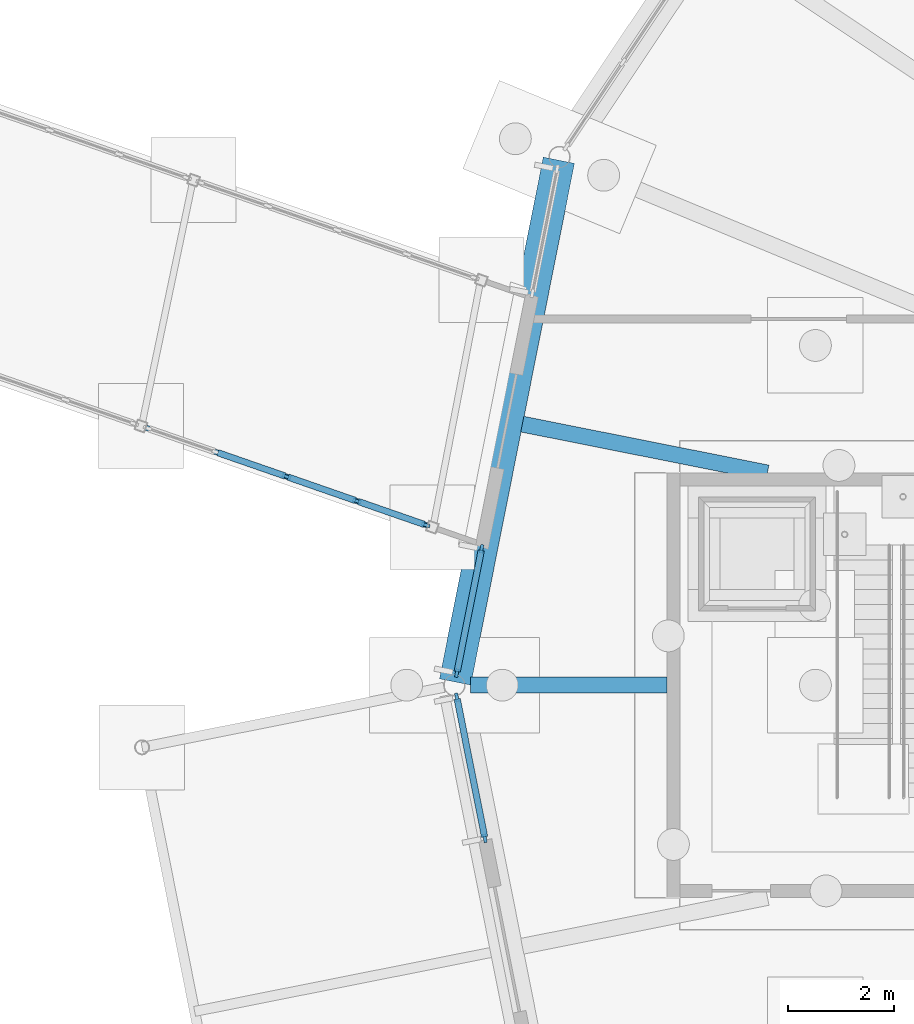
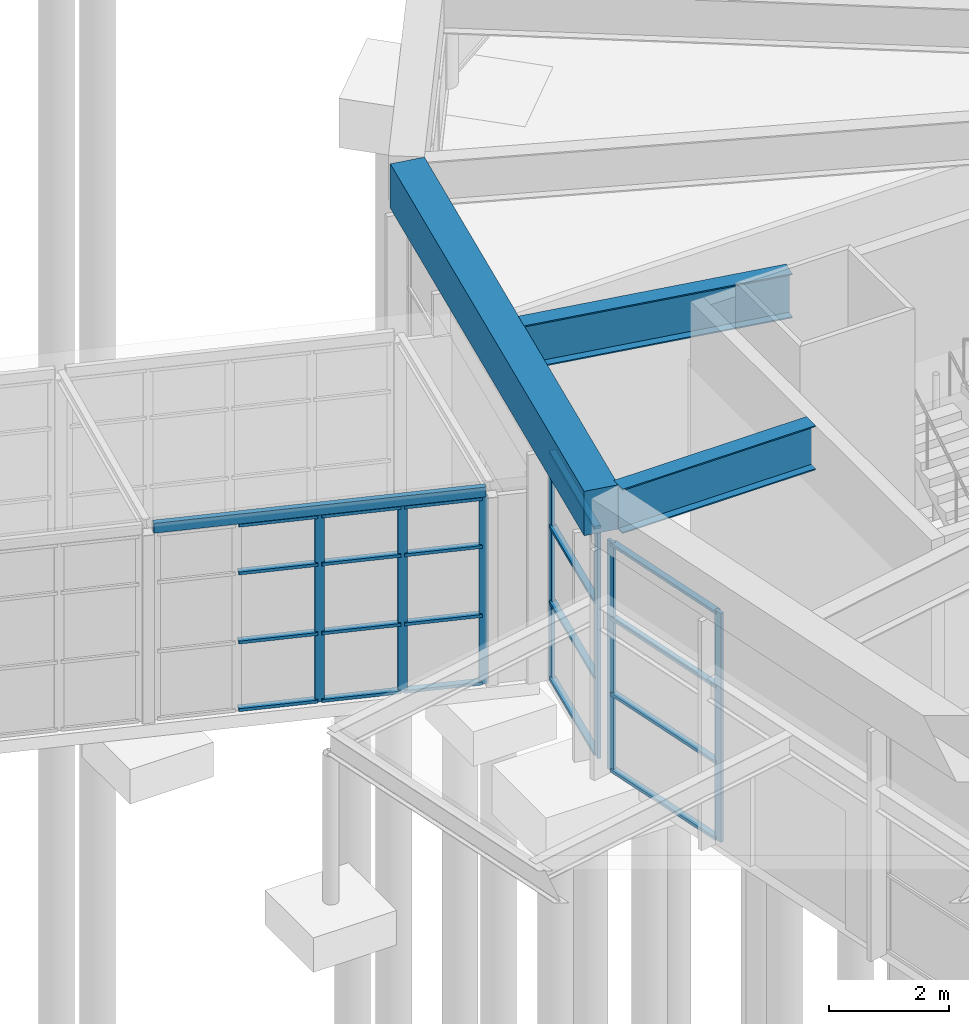
# One storey, part 50 of 226: 27 members, 4 beams, 3 elements without a shape of their own.
"""IFC4 building model written with IfcOpenShell, lengths in metres."""

from ifc_helpers import new_model, si_unit, direction, frame, origin, origin_2d, place, context, subcontext, project, spatial, rectangle, hollow_rectangle, i_section, extrude, material, material_profile, profile_set, type_object, element, aggregate, save


model = new_model("IFC4")

# Units and contexts
model_context = context("Model", 3, precision=1e-05, world=origin(), true_north=direction((0.0, 1.0)))
body_context = subcontext(model_context, "Body", "Model", "MODEL_VIEW")
ifc_project = project(units=[si_unit("LENGTHUNIT", "METRE"), si_unit("AREAUNIT", "SQUARE_METRE"), si_unit("VOLUMEUNIT", "CUBIC_METRE"), si_unit("PLANEANGLEUNIT", "RADIAN"), si_unit("MASSUNIT", "GRAM", prefix="KILO")], contexts=[model_context])

# Site, building, storey
site_placement = place(None, origin())
site = spatial("IfcSite", under=ifc_project, at=site_placement, CompositionType="ELEMENT")
building_placement = place(site_placement, origin())
building = spatial("IfcBuilding", under=site, at=building_placement, Name="Ceibo Conservatory and Research Tower", CompositionType="ELEMENT")
storey_placement = place(building_placement, origin())
storey = spatial("IfcBuildingStorey", under=building, at=storey_placement, Name="L00", CompositionType="ELEMENT", Elevation=0.0)

# Curtain wall, members
ifc_material_1 = material(Name="Aluminium and glass", Category="aluminium")
curtain_wall_type_1 = type_object("IfcCurtainWallType", Name="Gallery curtain wall", PredefinedType="NOTDEFINED", material=ifc_material_1)
curtain_wall_1_placement = place(storey_placement, origin())
curtain_wall_1 = element("IfcCurtainWall", 1, at=curtain_wall_1_placement, inside=storey, type_object=curtain_wall_type_1, Name="Gallery curtain wall AUD-VC-CWS14", PredefinedType="NOTDEFINED")
ifc_material_2 = material(Name="Aluminium", Category="aluminium")
ifc_material_profile_1 = material_profile(ifc_material_2, rectangle(XDim=0.06005859375, YDim=0.159912109375, at=origin_2d()), Name="AL 60x160")
ifc_profile_set_1 = profile_set([ifc_material_profile_1], Name="Aluminium")
member_type_1 = type_object("IfcMemberType", Name="Gallery mullion 60x160", PredefinedType="MULLION", material=ifc_profile_set_1)
member_1_placement = place(storey_placement, frame((138.837890625, 39.929931640625, 0.0), z_axis=(0.0, 0.0, 1.0), x_axis=(0.328283515513, 0.944579236191, 0.0)))
member_1 = element("IfcMember", 2, at=member_1_placement, type_object=member_type_1, Name="AUD-VC-CWS14 mullion 3", PredefinedType="MULLION", context=body_context, shape_type="SweptSolid", body=[
    extrude(rectangle(XDim=0.06005859375, YDim=0.159912109375, at=origin_2d()), origin(), (0.0, 0.0, 1.0), 3.800048828125),
])
member_2_placement = place(storey_placement, frame((140.162841796875, 39.469482421875, 0.0), z_axis=(0.0, 0.0, 1.0), x_axis=(0.328283515513, 0.944579236191, 0.0)))
member_2 = element("IfcMember", 3, at=member_2_placement, type_object=member_type_1, Name="AUD-VC-CWS14 mullion 4", PredefinedType="MULLION", context=body_context, shape_type="SweptSolid", body=[
    extrude(rectangle(XDim=0.06005859375, YDim=0.159912109375, at=origin_2d()), origin(), (0.0, 0.0, 1.0), 3.800048828125),
])
member_3_placement = place(storey_placement, frame((141.459228515625, 39.018798828125, 0.0), z_axis=(0.0, 0.0, 1.0), x_axis=(0.328283515513, 0.944579236191, 0.0)))
member_3 = element("IfcMember", 4, at=member_3_placement, type_object=member_type_1, Name="AUD-VC-CWS14 mullion 5", PredefinedType="MULLION", context=body_context, shape_type="SweptSolid", body=[
    extrude(rectangle(XDim=0.06005859375, YDim=0.159912109375, at=origin_2d()), origin(), (0.0, 0.0, 1.0), 3.800048828125),
])
ifc_material_profile_2 = material_profile(ifc_material_2, rectangle(XDim=0.1201171875, YDim=0.06005859375, at=origin_2d()), Name="AL 60x120")
ifc_profile_set_2 = profile_set([ifc_material_profile_2], Name="Aluminium")
member_type_2 = type_object("IfcMemberType", Name="Gallery transom 60x120", PredefinedType="USERDEFINED", material=ifc_profile_set_2)
member_4_placement = place(storey_placement, frame((137.54150390625, 40.38037109375, 0.030029296875), z_axis=(0.944587537953, -0.328259627648, 0.0), x_axis=(0.328259627648, 0.944587537953, 0.0)))
member_4 = element("IfcMember", 5, at=member_4_placement, type_object=member_type_2, Name="AUD-VC-CWS14 transom 2.1", ObjectType="TRANSOM", PredefinedType="USERDEFINED", context=body_context, shape_type="SweptSolid", body=[
    extrude(rectangle(XDim=0.1201171875, YDim=0.06005859375, at=origin_2d()), origin(), (0.0, 0.0, 1.0), 1.342529296875),
])
member_5_placement = place(storey_placement, frame((137.54150390625, 40.38037109375, 1.39990234375), z_axis=(0.944587537953, -0.328259627648, 0.0), x_axis=(0.328259627648, 0.944587537953, 0.0)))
member_5 = element("IfcMember", 6, at=member_5_placement, type_object=member_type_2, Name="AUD-VC-CWS14 transom 2.2", ObjectType="TRANSOM", PredefinedType="USERDEFINED", context=body_context, shape_type="SweptSolid", body=[
    extrude(rectangle(XDim=0.1201171875, YDim=0.06005859375, at=origin_2d()), origin(), (0.0, 0.0, 1.0), 1.342529296875),
])
member_6_placement = place(storey_placement, frame((137.54150390625, 40.38037109375, 2.800048828125), z_axis=(0.944587537953, -0.328259627648, 0.0), x_axis=(0.328259627648, 0.944587537953, 0.0)))
member_6 = element("IfcMember", 7, at=member_6_placement, type_object=member_type_2, Name="AUD-VC-CWS14 transom 2.3", ObjectType="TRANSOM", PredefinedType="USERDEFINED", context=body_context, shape_type="SweptSolid", body=[
    extrude(rectangle(XDim=0.1201171875, YDim=0.06005859375, at=origin_2d()), origin(), (0.0, 0.0, 1.0), 1.342529296875),
])
member_7_placement = place(storey_placement, frame((137.54150390625, 40.38037109375, 3.77001953125), z_axis=(0.944587537953, -0.328259627648, 0.0), x_axis=(0.328259627648, 0.944587537953, 0.0)))
member_7 = element("IfcMember", 8, at=member_7_placement, type_object=member_type_2, Name="AUD-VC-CWS14 transom 2.4", ObjectType="TRANSOM", PredefinedType="USERDEFINED", context=body_context, shape_type="SweptSolid", body=[
    extrude(rectangle(XDim=0.1201171875, YDim=0.06005859375, at=origin_2d()), origin(), (0.0, 0.0, 1.0), 1.342529296875),
])
member_8_placement = place(storey_placement, frame((138.8662109375, 39.919921875, 0.030029296875), z_axis=(0.944607129256, -0.328203247027, 0.0), x_axis=(0.328203247027, 0.944607129256, 0.0)))
member_8 = element("IfcMember", 9, at=member_8_placement, type_object=member_type_2, Name="AUD-VC-CWS14 transom 3.1", ObjectType="TRANSOM", PredefinedType="USERDEFINED", context=body_context, shape_type="SweptSolid", body=[
    extrude(rectangle(XDim=0.1201171875, YDim=0.06005859375, at=origin_2d()), origin(), (0.0, 0.0, 1.0), 1.3427734375),
])
member_9_placement = place(storey_placement, frame((138.8662109375, 39.919921875, 1.39990234375), z_axis=(0.944607129256, -0.328203247027, 0.0), x_axis=(0.328203247027, 0.944607129256, 0.0)))
member_9 = element("IfcMember", 10, at=member_9_placement, type_object=member_type_2, Name="AUD-VC-CWS14 transom 3.2", ObjectType="TRANSOM", PredefinedType="USERDEFINED", context=body_context, shape_type="SweptSolid", body=[
    extrude(rectangle(XDim=0.1201171875, YDim=0.06005859375, at=origin_2d()), origin(), (0.0, 0.0, 1.0), 1.3427734375),
])
member_10_placement = place(storey_placement, frame((138.8662109375, 39.919921875, 2.800048828125), z_axis=(0.944607129256, -0.328203247027, 0.0), x_axis=(0.328203247027, 0.944607129256, 0.0)))
member_10 = element("IfcMember", 11, at=member_10_placement, type_object=member_type_2, Name="AUD-VC-CWS14 transom 3.3", ObjectType="TRANSOM", PredefinedType="USERDEFINED", context=body_context, shape_type="SweptSolid", body=[
    extrude(rectangle(XDim=0.1201171875, YDim=0.06005859375, at=origin_2d()), origin(), (0.0, 0.0, 1.0), 1.3427734375),
])
member_11_placement = place(storey_placement, frame((138.8662109375, 39.919921875, 3.77001953125), z_axis=(0.944607129256, -0.328203247027, 0.0), x_axis=(0.328203247027, 0.944607129256, 0.0)))
member_11 = element("IfcMember", 12, at=member_11_placement, type_object=member_type_2, Name="AUD-VC-CWS14 transom 3.4", ObjectType="TRANSOM", PredefinedType="USERDEFINED", context=body_context, shape_type="SweptSolid", body=[
    extrude(rectangle(XDim=0.1201171875, YDim=0.06005859375, at=origin_2d()), origin(), (0.0, 0.0, 1.0), 1.3427734375),
])
member_12_placement = place(storey_placement, frame((140.191162109375, 39.45947265625, 0.030029296875), z_axis=(0.944569547246, -0.328311392455, 0.0), x_axis=(0.328311392455, 0.944569547246, 0.0)))
member_12 = element("IfcMember", 13, at=member_12_placement, type_object=member_type_2, Name="AUD-VC-CWS14 transom 4.1", ObjectType="TRANSOM", PredefinedType="USERDEFINED", context=body_context, shape_type="SweptSolid", body=[
    extrude(rectangle(XDim=0.1201171875, YDim=0.06005859375, at=origin_2d()), origin(), (0.0, 0.0, 1.0), 1.3125),
])
member_13_placement = place(storey_placement, frame((140.191162109375, 39.45947265625, 1.39990234375), z_axis=(0.944569547246, -0.328311392455, 0.0), x_axis=(0.328311392455, 0.944569547246, 0.0)))
member_13 = element("IfcMember", 14, at=member_13_placement, type_object=member_type_2, Name="AUD-VC-CWS14 transom 4.2", ObjectType="TRANSOM", PredefinedType="USERDEFINED", context=body_context, shape_type="SweptSolid", body=[
    extrude(rectangle(XDim=0.1201171875, YDim=0.06005859375, at=origin_2d()), origin(), (0.0, 0.0, 1.0), 1.3125),
])
member_14_placement = place(storey_placement, frame((140.191162109375, 39.45947265625, 2.800048828125), z_axis=(0.944569547246, -0.328311392455, 0.0), x_axis=(0.328311392455, 0.944569547246, 0.0)))
member_14 = element("IfcMember", 15, at=member_14_placement, type_object=member_type_2, Name="AUD-VC-CWS14 transom 4.3", ObjectType="TRANSOM", PredefinedType="USERDEFINED", context=body_context, shape_type="SweptSolid", body=[
    extrude(rectangle(XDim=0.1201171875, YDim=0.06005859375, at=origin_2d()), origin(), (0.0, 0.0, 1.0), 1.3125),
])
member_15_placement = place(storey_placement, frame((140.191162109375, 39.45947265625, 3.77001953125), z_axis=(0.944569547246, -0.328311392455, 0.0), x_axis=(0.328311392455, 0.944569547246, 0.0)))
member_15 = element("IfcMember", 16, at=member_15_placement, type_object=member_type_2, Name="AUD-VC-CWS14 transom 4.4", ObjectType="TRANSOM", PredefinedType="USERDEFINED", context=body_context, shape_type="SweptSolid", body=[
    extrude(rectangle(XDim=0.1201171875, YDim=0.06005859375, at=origin_2d()), origin(), (0.0, 0.0, 1.0), 1.3125),
])
aggregate(curtain_wall_1, [member_1, member_2, member_3, member_4, member_5, member_6, member_7, member_8, member_9, member_10, member_11, member_12, member_13, member_14, member_15])

curtain_wall_type_2 = type_object("IfcCurtainWallType", Name="Pavilion curtain wall", PredefinedType="NOTDEFINED", material=ifc_material_1)
curtain_wall_2_placement = place(storey_placement, origin())
curtain_wall_2 = element("IfcCurtainWall", 17, at=curtain_wall_2_placement, inside=storey, type_object=curtain_wall_type_2, Name="Pavilion curtain wall VC-CW08E", PredefinedType="NOTDEFINED")
ifc_material_profile_3 = material_profile(ifc_material_2, rectangle(XDim=0.06005859375, YDim=0.159912109375, at=origin_2d()), Name="AL 60x160")
ifc_profile_set_3 = profile_set([ifc_material_profile_3], Name="Aluminium")
member_type_3 = type_object("IfcMemberType", Name="Pavilion mullion 60x160", PredefinedType="MULLION", material=ifc_profile_set_3)
member_16_placement = place(storey_placement, frame((142.510986328125, 38.56884765625, 0.0), z_axis=(0.0, 0.0, 1.0), x_axis=(0.980785282416, -0.195090311899, 0.0)))
member_16 = element("IfcMember", 18, at=member_16_placement, type_object=member_type_3, Name="VC-CW08E mullion 1", PredefinedType="MULLION", context=body_context, shape_type="SweptSolid", body=[
    extrude(rectangle(XDim=0.06005859375, YDim=0.159912109375, at=origin_2d()), origin(), (0.0, 0.0, 1.0), 4.64892578125),
])
member_17_placement = place(storey_placement, frame((142.04541015625, 36.228759765625, 0.0), z_axis=(0.0, 0.0, 1.0), x_axis=(0.980785282416, -0.195090311899, 0.0)))
member_17 = element("IfcMember", 19, at=member_17_placement, type_object=member_type_3, Name="VC-CW08E mullion 2", PredefinedType="MULLION", context=body_context, shape_type="SweptSolid", body=[
    extrude(rectangle(XDim=0.06005859375, YDim=0.159912109375, at=origin_2d()), origin(), (0.0, 0.0, 1.0), 4.64892578125),
])

curtain_wall_3_placement = place(storey_placement, origin())
curtain_wall_3 = element("IfcCurtainWall", 20, at=curtain_wall_3_placement, inside=storey, type_object=curtain_wall_type_2, Name="Pavilion curtain wall VC-CW09W", PredefinedType="NOTDEFINED")
member_18_placement = place(storey_placement, frame((142.04541015625, 35.771240234375, 0.0), z_axis=(0.0, 0.0, 1.0), x_axis=(0.980785282416, 0.195090311899, 0.0)))
member_18 = element("IfcMember", 21, at=member_18_placement, type_object=member_type_3, Name="VC-CW09W mullion 1", PredefinedType="MULLION", context=body_context, shape_type="SweptSolid", body=[
    extrude(rectangle(XDim=0.06005859375, YDim=0.159912109375, at=origin_2d()), origin(), (0.0, 0.0, 1.0), 4.64892578125),
])
member_19_placement = place(storey_placement, frame((142.573974609375, 33.1142578125, 0.0), z_axis=(0.0, 0.0, 1.0), x_axis=(0.980785282416, 0.195090311899, 0.0)))
member_19 = element("IfcMember", 22, at=member_19_placement, type_object=member_type_3, Name="VC-CW09W mullion 2", PredefinedType="MULLION", context=body_context, shape_type="SweptSolid", body=[
    extrude(rectangle(XDim=0.06005859375, YDim=0.159912109375, at=origin_2d()), origin(), (0.0, 0.0, 1.0), 4.64892578125),
])

# Member
ifc_material_profile_4 = material_profile(ifc_material_2, rectangle(XDim=0.1201171875, YDim=0.06005859375, at=origin_2d()), Name="AL 60x120")
ifc_profile_set_4 = profile_set([ifc_material_profile_4], Name="Aluminium")
member_type_4 = type_object("IfcMemberType", Name="Pavilion transom 60x120", PredefinedType="USERDEFINED", material=ifc_profile_set_4)
member_20_placement = place(storey_placement, frame((142.505126953125, 38.53955078125, 0.030029296875), z_axis=(-0.195106871726, -0.980781988316, 0.0), x_axis=(0.980781988316, -0.195106871726, 0.0)))
member_20 = element("IfcMember", 23, at=member_20_placement, type_object=member_type_4, Name="VC-CW08E transom 1.1", ObjectType="TRANSOM", PredefinedType="USERDEFINED", context=body_context, shape_type="SweptSolid", body=[
    extrude(rectangle(XDim=0.1201171875, YDim=0.06005859375, at=origin_2d()), origin(), (0.0, 0.0, 1.0), 2.326171875),
])

member_21_placement = place(storey_placement, frame((142.505126953125, 38.53955078125, 1.5810546875), z_axis=(-0.195106871726, -0.980781988316, 0.0), x_axis=(0.980781988316, -0.195106871726, 0.0)))
member_21 = element("IfcMember", 24, at=member_21_placement, type_object=member_type_4, Name="VC-CW08E transom 1.2", ObjectType="TRANSOM", PredefinedType="USERDEFINED", context=body_context, shape_type="SweptSolid", body=[
    extrude(rectangle(XDim=0.1201171875, YDim=0.06005859375, at=origin_2d()), origin(), (0.0, 0.0, 1.0), 2.326171875),
])

member_22_placement = place(storey_placement, frame((142.505126953125, 38.53955078125, 3.114990234375), z_axis=(-0.195106871726, -0.980781988316, 0.0), x_axis=(0.980781988316, -0.195106871726, 0.0)))
member_22 = element("IfcMember", 25, at=member_22_placement, type_object=member_type_4, Name="VC-CW08E transom 1.3", ObjectType="TRANSOM", PredefinedType="USERDEFINED", context=body_context, shape_type="SweptSolid", body=[
    extrude(rectangle(XDim=0.1201171875, YDim=0.06005859375, at=origin_2d()), origin(), (0.0, 0.0, 1.0), 2.326171875),
])

member_23_placement = place(storey_placement, frame((142.505126953125, 38.53955078125, 4.618896484375), z_axis=(-0.195106871726, -0.980781988316, 0.0), x_axis=(0.980781988316, -0.195106871726, 0.0)))
member_23 = element("IfcMember", 26, at=member_23_placement, type_object=member_type_4, Name="VC-CW08E transom 1.4", ObjectType="TRANSOM", PredefinedType="USERDEFINED", context=body_context, shape_type="SweptSolid", body=[
    extrude(rectangle(XDim=0.1201171875, YDim=0.06005859375, at=origin_2d()), origin(), (0.0, 0.0, 1.0), 2.326171875),
])

aggregate(curtain_wall_2, [member_16, member_17, member_20, member_21, member_22, member_23])

member_24_placement = place(storey_placement, frame((142.05126953125, 35.741943359375, 0.030029296875), z_axis=(0.195088165617, -0.980785709335, 0.0), x_axis=(0.980785709335, 0.195088165617, 0.0)))
member_24 = element("IfcMember", 27, at=member_24_placement, type_object=member_type_4, Name="VC-CW09W transom 1.1", ObjectType="TRANSOM", PredefinedType="USERDEFINED", context=body_context, shape_type="SweptSolid", body=[
    extrude(rectangle(XDim=0.1201171875, YDim=0.06005859375, at=origin_2d()), origin(), (0.0, 0.0, 1.0), 2.6494140625),
])

member_25_placement = place(storey_placement, frame((142.05126953125, 35.741943359375, 1.5810546875), z_axis=(0.195088165617, -0.980785709335, 0.0), x_axis=(0.980785709335, 0.195088165617, 0.0)))
member_25 = element("IfcMember", 28, at=member_25_placement, type_object=member_type_4, Name="VC-CW09W transom 1.2", ObjectType="TRANSOM", PredefinedType="USERDEFINED", context=body_context, shape_type="SweptSolid", body=[
    extrude(rectangle(XDim=0.1201171875, YDim=0.06005859375, at=origin_2d()), origin(), (0.0, 0.0, 1.0), 2.6494140625),
])

member_26_placement = place(storey_placement, frame((142.05126953125, 35.741943359375, 3.114990234375), z_axis=(0.195088165617, -0.980785709335, 0.0), x_axis=(0.980785709335, 0.195088165617, 0.0)))
member_26 = element("IfcMember", 29, at=member_26_placement, type_object=member_type_4, Name="VC-CW09W transom 1.3", ObjectType="TRANSOM", PredefinedType="USERDEFINED", context=body_context, shape_type="SweptSolid", body=[
    extrude(rectangle(XDim=0.1201171875, YDim=0.06005859375, at=origin_2d()), origin(), (0.0, 0.0, 1.0), 2.6494140625),
])

member_27_placement = place(storey_placement, frame((142.05126953125, 35.741943359375, 4.618896484375), z_axis=(0.195088165617, -0.980785709335, 0.0), x_axis=(0.980785709335, 0.195088165617, 0.0)))
member_27 = element("IfcMember", 30, at=member_27_placement, type_object=member_type_4, Name="VC-CW09W transom 1.4", ObjectType="TRANSOM", PredefinedType="USERDEFINED", context=body_context, shape_type="SweptSolid", body=[
    extrude(rectangle(XDim=0.1201171875, YDim=0.06005859375, at=origin_2d()), origin(), (0.0, 0.0, 1.0), 2.6494140625),
])

aggregate(curtain_wall_3, [member_18, member_19, member_24, member_25, member_26, member_27])

# Beams
ifc_material_3 = material(Name="Concrete C35/45", Category="concrete")
ifc_material_profile_5 = material_profile(ifc_material_3, rectangle(XDim=0.60009765625, YDim=0.89990234375, at=origin_2d()), Name="RC 600x900")
ifc_profile_set_5 = profile_set([ifc_material_profile_5], Name="Concrete C35/45")
beam_type_1 = type_object("IfcBeamType", Name="RC ring beam 600x900", PredefinedType="BEAM", material=ifc_profile_set_5)
beam_1_placement = place(storey_placement, frame((143.967041015625, 45.88916015625, 5.09912109375), z_axis=(-0.195094678952, -0.980784413745, 0.0), x_axis=(0.980784413745, -0.195094678952, 0.0)))
element("IfcBeam", 31, at=beam_1_placement, inside=storey, type_object=beam_type_1, Name="Pavilion ring beam VC-RB08", PredefinedType="BEAM", context=body_context, shape_type="SweptSolid", body=[
    extrude(rectangle(XDim=0.60009765625, YDim=0.89990234375, at=origin_2d()), origin(), (0.0, 0.0, 1.0), 10.021240234375),
])
ifc_material_4 = material(Name="Steel S355J2H", Category="steel")
ifc_material_profile_6 = material_profile(ifc_material_4, hollow_rectangle(XDim=0.10009765625, YDim=0.199951171875, WallThickness=0.008056640625, at=origin_2d()), Name="RHS 200x100x8 edge beam")
ifc_profile_set_6 = profile_set([ifc_material_profile_6], Name="Steel S355J2H")
beam_type_2 = type_object("IfcBeamType", Name="RHS 200x100x8 edge beam", PredefinedType="BEAM", material=ifc_profile_set_6)
beam_2_placement = place(storey_placement, frame((136.18359375, 40.852294921875, 3.89990234375), z_axis=(0.944584081142, -0.328269574669, 0.0), x_axis=(0.328269574669, 0.944584081142, 0.0)))
element("IfcBeam", 32, at=beam_2_placement, inside=storey, type_object=beam_type_2, Name="Gallery edge beam AUD-VC-EBS14", PredefinedType="BEAM", context=body_context, shape_type="SweptSolid", body=[
    extrude(hollow_rectangle(XDim=0.10009765625, YDim=0.199951171875, WallThickness=0.008056640625, at=origin_2d()), origin(), (0.0, 0.0, 1.0), 5.620361328125),
])
ifc_material_5 = material(Name="Steel S355J2", Category="steel")
ifc_material_profile_7 = material_profile(ifc_material_5, i_section(OverallWidth=0.300048828125, OverallDepth=0.89990234375, WebThickness=0.011962890625, FlangeThickness=0.02490234375, at=origin_2d()), Name="PG 900x300")
ifc_profile_set_7 = profile_set([ifc_material_profile_7], Name="Steel S355J2")
beam_type_3 = type_object("IfcBeamType", Name="pavilion radial roof beam PG 900x300", PredefinedType="BEAM", material=ifc_profile_set_7)
beam_3_placement = place(storey_placement, frame((147.8955078125, 39.9990234375, 5.09912109375), z_axis=(-0.98078957601, 0.195068725297, 0.0), x_axis=(-0.195068725297, -0.98078957601, 0.0)))
element("IfcBeam", 33, at=beam_3_placement, inside=storey, type_object=beam_type_3, Name="Radial roof beam VC-RR16B", PredefinedType="BEAM", context=body_context, shape_type="SweptSolid", body=[
    extrude(i_section(OverallWidth=0.300048828125, OverallDepth=0.89990234375, WebThickness=0.011962890625, FlangeThickness=0.02490234375, at=origin_2d()), origin(), (0.0, 0.0, 1.0), 4.70703125),
])
beam_4_placement = place(storey_placement, frame((146.0048828125, 36.0, 5.09912109375), z_axis=(-1.0, 0.0, 0.0), x_axis=(0.0, -1.0, 0.0)))
element("IfcBeam", 34, at=beam_4_placement, inside=storey, type_object=beam_type_3, Name="Radial roof beam VC-RR17B", PredefinedType="BEAM", context=body_context, shape_type="SweptSolid", body=[
    extrude(i_section(OverallWidth=0.300048828125, OverallDepth=0.89990234375, WebThickness=0.011962890625, FlangeThickness=0.02490234375, at=origin_2d()), origin(), (0.0, 0.0, 1.0), 3.7041015625),
])

save(model, "model.ifc")
